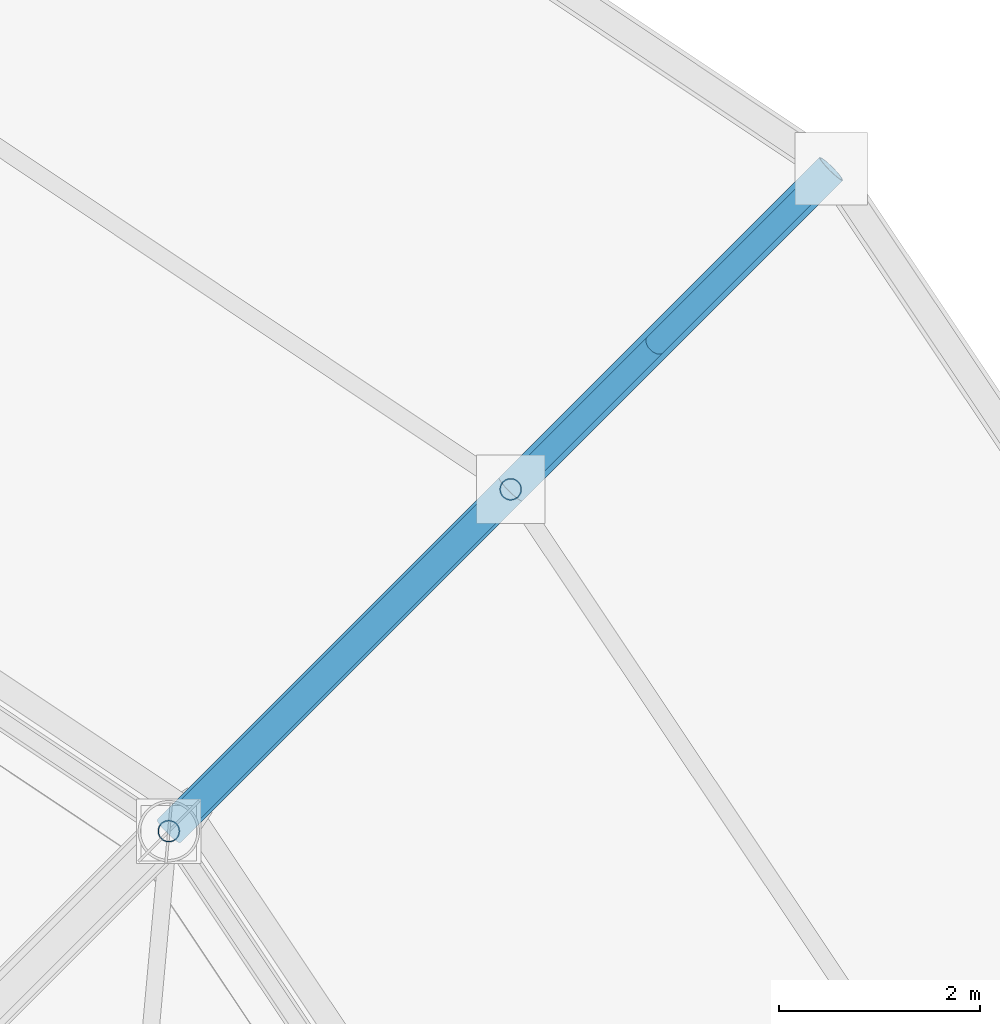
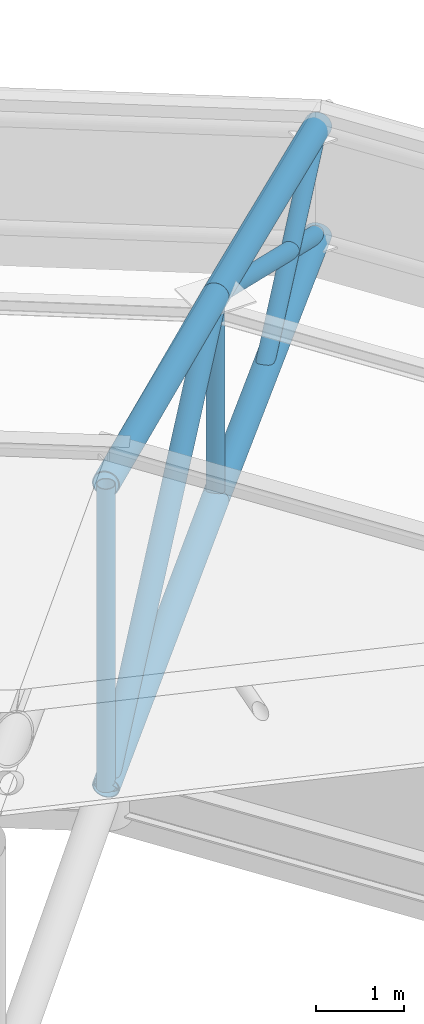
# One storey, part 85 of 146: 9 members.
"""IFC4 building model written with IfcOpenShell, lengths in metres."""

import ifcopenshell
import ifcopenshell.guid

model = None  # the IFC model being written
_history = None  # IfcOwnerHistory: only IFC2X3 demands one
_inside = {}  # id of a spatial element -> (the spatial element, [elements in it])
_under = {}  # id of a project, library or spatial element -> (it, [spatial elements below it])
_declared = {}  # id of a project -> (the project, [libraries it declares])
_typed = {}  # id of a type object -> (the type object, [elements of that type])
_made_of = {}  # id of a material, layer set ... -> (it, [elements and type objects made of it])


def new_model(schema):
    """Start an empty IFC model of exactly this schema.

    Asked for "IFC4X3", IfcOpenShell would pick the latest addendum, in which some entities
    have other attributes; the version numbers below select the first issue.
    IFC2X3 requires an IfcOwnerHistory on every rooted entity: one is made here for all.
    """
    global model, _history
    if schema == "IFC4X3":
        model = ifcopenshell.file(schema_version=(4, 3, 0, 0))
    else:
        model = ifcopenshell.file(schema=schema)
    _inside.clear()
    _under.clear()
    _declared.clear()
    _typed.clear()
    _made_of.clear()
    _history = None
    if model.schema == "IFC2X3":
        org = make("IfcOrganization", Name="unknown")
        user = make(
            "IfcPersonAndOrganization",
            ThePerson=make("IfcPerson", FamilyName="unknown"),
            TheOrganization=org,
        )
        app = make(
            "IfcApplication",
            ApplicationDeveloper=org,
            Version="unknown",
            ApplicationFullName="unknown",
            ApplicationIdentifier="unknown",
        )
        _history = make(
            "IfcOwnerHistory",
            OwningUser=user,
            OwningApplication=app,
            ChangeAction="ADDED",
            CreationDate=0,
        )
    return model


def make(cls, **values):
    """One entity of the class cls with the attributes given. An attribute that is None is left unset."""
    return model.create_entity(
        cls, **{name: value for name, value in values.items() if value is not None}
    )


def rooted(cls, **values):
    """An entity with a GlobalId (a new one), such as an element, a storey or a relation."""
    return make(cls, GlobalId=ifcopenshell.guid.new(), OwnerHistory=_history, **values)


def si_unit(unit_type, name, prefix=None):
    """IfcSIUnit, for example si_unit("LENGTHUNIT", "METRE", prefix="MILLI")."""
    return make("IfcSIUnit", UnitType=unit_type, Prefix=prefix, Name=name)


def assignment(units):
    """IfcUnitAssignment: the units of a project."""
    return None if units is None else make("IfcUnitAssignment", Units=units)


def point(xyz):
    """IfcCartesianPoint."""
    return None if xyz is None else make("IfcCartesianPoint", Coordinates=xyz)


def direction(xyz):
    """IfcDirection."""
    return None if xyz is None else make("IfcDirection", DirectionRatios=xyz)


def frame(location, z_axis=None, x_axis=None):
    """IfcAxis2Placement3D, a coordinate frame: its origin and axes. An axis left out is left unset."""
    return make(
        "IfcAxis2Placement3D",
        Location=point(location),
        Axis=direction(z_axis),
        RefDirection=direction(x_axis),
    )


def frame_2d(location, x_axis=None):
    """IfcAxis2Placement2D, a coordinate frame in the plane: its origin and x axis."""
    return make(
        "IfcAxis2Placement2D", Location=point(location), RefDirection=direction(x_axis)
    )


def origin():
    """The frame at (0, 0, 0) with its axes left unset."""
    return frame((0.0, 0.0, 0.0))


def origin_2d():
    """The frame at (0, 0) in the plane with its x axis left unset."""
    return frame_2d((0.0, 0.0))


def place(relative_to, where):
    """IfcLocalPlacement: puts the frame where relative to a parent placement (None: the world)."""
    return make(
        "IfcLocalPlacement", PlacementRelTo=relative_to, RelativePlacement=where
    )


def context(
    kind, dimensions, precision=None, world=None, true_north=None, identifier=None
):
    """IfcGeometricRepresentationContext, for example the 3D "Model" context."""
    return make(
        "IfcGeometricRepresentationContext",
        ContextIdentifier=identifier,
        ContextType=kind,
        CoordinateSpaceDimension=dimensions,
        Precision=precision,
        WorldCoordinateSystem=world,
        TrueNorth=true_north,
    )


def subcontext(parent, identifier, kind, view, scale=None):
    """IfcGeometricRepresentationSubContext, for example "Body" below "Model"."""
    return make(
        "IfcGeometricRepresentationSubContext",
        ContextIdentifier=identifier,
        ContextType=kind,
        ParentContext=parent,
        TargetScale=scale,
        TargetView=view,
    )


def project(units=None, contexts=None):
    """IfcProject with its units and contexts."""
    return rooted(
        "IfcProject",
        Name="project",
        RepresentationContexts=contexts,
        UnitsInContext=assignment(units),
    )


def spatial(cls, under=None, at=None, **own):
    """A site, building, storey or space (cls), placed at a placement, below another one or the project."""
    s = rooted(cls, ObjectPlacement=at, **own)
    if under is not None:
        _under.setdefault(under.id(), (under, []))[1].append(s)
    return s


def profile(cls, at=None, kind="AREA", **sizes):
    """A parametric profile (cls). Its sizes go by their IFC names, for example OverallWidth=200.0."""
    return make(cls, ProfileType=kind, Position=at, **sizes)


def hollow_circle(**sizes):
    """IfcCircleHollowProfileDef."""
    return profile("IfcCircleHollowProfileDef", **sizes)


def extrude(swept, where, along, depth):
    """IfcExtrudedAreaSolid: the profile swept, set in the frame where, extruded along a direction by depth."""
    return make(
        "IfcExtrudedAreaSolid",
        SweptArea=swept,
        Position=where,
        ExtrudedDirection=direction(along),
        Depth=depth,
    )


def shape(context_of_items, identifier, shape_type, items):
    """IfcShapeRepresentation: the items that make up one representation, for example the "Body"."""
    return make(
        "IfcShapeRepresentation",
        ContextOfItems=context_of_items,
        RepresentationIdentifier=identifier,
        RepresentationType=shape_type,
        Items=items,
    )


def material(Name=None, Category=None):
    """IfcMaterial."""
    return make("IfcMaterial", Name=Name, Category=Category)


def material_profile(
    of_material, cross_section, Name=None, Category=None, Priority=None
):
    """IfcMaterialProfile: a cross section and its material."""
    return make(
        "IfcMaterialProfile",
        Name=Name,
        Material=of_material,
        Profile=cross_section,
        Priority=Priority,
        Category=Category,
    )


def profile_set(profiles, Name=None, composite=None):
    """IfcMaterialProfileSet."""
    return make(
        "IfcMaterialProfileSet",
        Name=Name,
        MaterialProfiles=profiles,
        CompositeProfile=composite,
    )


def made_of(thing, what):
    """Note that an element or type object is made of a material, layer set ...; save() writes the relation."""
    if what is not None:
        _made_of.setdefault(what.id(), (what, []))[1].append(thing)
    return thing


def type_object(cls, material=None, **own):
    """A type object (cls), such as IfcWallType, which elements share."""
    return made_of(rooted(cls, **own), material)


def element(
    cls,
    number,
    at=None,
    inside=None,
    cuts=None,
    type_object=None,
    material=None,
    context=None,
    identifier="Body",
    shape_type=None,
    held_by="IfcProductDefinitionShape",
    body=None,
    shapes=None,
    **own,
):
    """One element of the class cls, such as IfcWall. Its Tag is "e" and its number.

    at: its placement. inside: the storey or other place that contains it. cuts: it is an
    opening in that element (IfcRelVoidsElement). A single representation is given by context,
    identifier, shape_type and body (its items); several are given by shapes. held_by: the class
    of the entity that holds the representations. save() writes the other relations.
    """
    e = rooted(cls, Tag="e%d" % number, ObjectPlacement=at, **own)
    if body is not None:
        shapes = [shape(context, identifier, shape_type, body)]
    if shapes is not None:
        e.Representation = make(held_by, Representations=shapes)
    if inside is not None:
        _inside.setdefault(inside.id(), (inside, []))[1].append(e)
    if cuts is not None:
        rooted(
            "IfcRelVoidsElement", RelatingBuildingElement=cuts, RelatedOpeningElement=e
        )
    if type_object is not None:
        _typed.setdefault(type_object.id(), (type_object, []))[1].append(e)
    return made_of(e, material)


def aggregate(whole, parts):
    """IfcRelAggregates: a whole, such as a stair, and the parts it consists of."""
    return rooted("IfcRelAggregates", RelatingObject=whole, RelatedObjects=parts)


def save(model, path):
    """Write the relations noted so far, then the file.

    IfcRelAggregates (storeys below a building ...), IfcRelContainedInSpatialStructure (elements
    in a storey), IfcRelDefinesByType, IfcRelAssociatesMaterial and IfcRelDeclares: one each for
    every whole, place, type object, material and project.
    """
    for whole, parts in _under.values():
        aggregate(whole, parts)
    for where, things in _inside.values():
        rooted(
            "IfcRelContainedInSpatialStructure",
            RelatedElements=things,
            RelatingStructure=where,
        )
    for kind, things in _typed.values():
        rooted("IfcRelDefinesByType", RelatedObjects=things, RelatingType=kind)
    for what, things in _made_of.values():
        rooted("IfcRelAssociatesMaterial", RelatedObjects=things, RelatingMaterial=what)
    for by, libraries in _declared.values():
        rooted("IfcRelDeclares", RelatingContext=by, RelatedDefinitions=libraries)
    model.write(path)


model = new_model("IFC4")

# Units and contexts
model_context = context("Model", 3, precision=1e-05, world=origin(), true_north=direction((0.0, 1.0)))
body_context = subcontext(model_context, "Body", "Model", "MODEL_VIEW")
ifc_project = project(units=[si_unit("LENGTHUNIT", "METRE"), si_unit("AREAUNIT", "SQUARE_METRE"), si_unit("VOLUMEUNIT", "CUBIC_METRE"), si_unit("PLANEANGLEUNIT", "RADIAN"), si_unit("MASSUNIT", "GRAM", prefix="KILO")], contexts=[model_context])

# Site, building, storey
site_placement = place(None, origin())
site = spatial("IfcSite", under=ifc_project, at=site_placement, CompositionType="ELEMENT")
building_placement = place(site_placement, origin())
building = spatial("IfcBuilding", under=site, at=building_placement, Name="Candeia Ridge Stadium", CompositionType="ELEMENT")
storey_placement = place(building_placement, frame((0.0, 0.0, 31.800048828125)))
storey = spatial("IfcBuildingStorey", under=building, at=storey_placement, Name="RF", CompositionType="ELEMENT", Elevation=31.800048828125)

# Members
ifc_material = material(Name="Steel ASTM A572 Grade 50", Category="steel")
ifc_material_profile_1 = material_profile(ifc_material, hollow_circle(Radius=0.161865234375, WallThickness=0.012451171875, at=origin_2d()), Name="CHS323x12", Category="steel")
ifc_profile_set_1 = profile_set([ifc_material_profile_1], Name="Steel ASTM A572 Grade 50")
member_type_1 = type_object("IfcMemberType", Name="Roof Truss Eaves Chord CHS323x12", PredefinedType="CHORD", material=ifc_profile_set_1)
member_1_placement = place(storey_placement, frame((177.76953125, 131.76953125, 4.599853515625), z_axis=(0.700873044687, 0.700873044687, -0.132491322215), x_axis=(-0.707106781187, 0.707106781187, 0.0)))
element("IfcMember", 1, at=member_1_placement, inside=storey, type_object=member_type_1, Name="Roof cantilever truss RT-35 top chord 7", PredefinedType="CHORD", context=body_context, shape_type="SweptSolid", body=[
    extrude(hollow_circle(Radius=0.161865234375, WallThickness=0.012451171875, at=origin_2d()), origin(), (0.0, 0.0, 1.0), 4.842529296875),
])
member_2_placement = place(storey_placement, frame((177.76953125, 131.76953125, 0.39990234375), z_axis=(0.698586254364, 0.698586254364, 0.154772382639), x_axis=(-0.707106781187, 0.707106781187, 0.0)))
element("IfcMember", 2, at=member_2_placement, inside=storey, type_object=member_type_1, Name="Roof cantilever truss RT-35 bottom chord 7", PredefinedType="CHORD", context=body_context, shape_type="SweptSolid", body=[
    extrude(hollow_circle(Radius=0.161865234375, WallThickness=0.012451171875, at=origin_2d()), origin(), (0.0, 0.0, 1.0), 4.8583984375),
])
member_3_placement = place(storey_placement, frame((181.16357421875, 135.16357421875, 3.958251953125), z_axis=(0.699233040755, 0.699233040755, -0.148816361443), x_axis=(-0.707106781187, 0.707106781187, 0.0)))
element("IfcMember", 3, at=member_3_placement, inside=storey, type_object=member_type_1, Name="Roof cantilever truss RT-35 top chord 8", PredefinedType="CHORD", context=body_context, shape_type="SweptSolid", body=[
    extrude(hollow_circle(Radius=0.161865234375, WallThickness=0.012451171875, at=origin_2d()), origin(), (0.0, 0.0, 1.0), 4.55078125),
])
member_4_placement = place(storey_placement, frame((181.16357421875, 135.16357421875, 1.15185546875), z_axis=(0.700296133436, 0.700296133436, 0.138458119983), x_axis=(-0.707106781187, 0.707106781187, 0.0)))
element("IfcMember", 4, at=member_4_placement, inside=storey, type_object=member_type_1, Name="Roof cantilever truss RT-35 bottom chord 8", PredefinedType="CHORD", context=body_context, shape_type="SweptSolid", body=[
    extrude(hollow_circle(Radius=0.161865234375, WallThickness=0.012451171875, at=origin_2d()), origin(), (0.0, 0.0, 1.0), 4.5439453125),
])
ifc_material_profile_2 = material_profile(ifc_material, hollow_circle(Radius=0.136474609375, WallThickness=0.010009765625, at=origin_2d()), Name="CHS273x10", Category="steel")
ifc_profile_set_2 = profile_set([ifc_material_profile_2], Name="Steel ASTM A572 Grade 50")
member_type_2 = type_object("IfcMemberType", Name="Roof Truss Heavy Web Brace CHS273x10", PredefinedType="BRACE", material=ifc_profile_set_2)
member_5_placement = place(storey_placement, frame((177.76953125, 131.76953125, 0.39990234375), z_axis=(0.56803841845, 0.56803841845, 0.595537329082), x_axis=(-0.707106781187, 0.707106781187, 0.0)))
element("IfcMember", 5, at=member_5_placement, inside=storey, type_object=member_type_2, Name="Roof cantilever truss RT-35 diagonal web 7", PredefinedType="BRACE", context=body_context, shape_type="SweptSolid", body=[
    extrude(hollow_circle(Radius=0.136474609375, WallThickness=0.010009765625, at=origin_2d()), origin(), (0.0, 0.0, 1.0), 5.97509765625),
])
ifc_material_profile_3 = material_profile(ifc_material, hollow_circle(Radius=0.109619140625, WallThickness=0.010009765625, at=origin_2d()), Name="CHS219x10", Category="steel")
ifc_profile_set_3 = profile_set([ifc_material_profile_3], Name="Steel ASTM A572 Grade 50")
member_type_3 = type_object("IfcMemberType", Name="Roof Truss Inner Web Brace CHS219x10", PredefinedType="BRACE", material=ifc_profile_set_3)
member_6_placement = place(storey_placement, frame((181.16357421875, 135.16357421875, 3.958251953125), z_axis=(0.636523949664, 0.636523949664, -0.435516386612), x_axis=(-0.707106781187, 0.707106781187, 0.0)))
element("IfcMember", 6, at=member_6_placement, inside=storey, type_object=member_type_3, Name="Roof cantilever truss RT-35 diagonal web 8", PredefinedType="BRACE", context=body_context, shape_type="SweptSolid", body=[
    extrude(hollow_circle(Radius=0.109619140625, WallThickness=0.010009765625, at=origin_2d()), origin(), (0.0, 0.0, 1.0), 4.999267578125),
])
member_7_placement = place(storey_placement, frame((177.76953125, 131.76953125, 0.39990234375), z_axis=(0.0, 0.0, 1.0), x_axis=(1.0, 0.0, 0.0)))
element("IfcMember", 7, at=member_7_placement, inside=storey, type_object=member_type_3, Name="Roof cantilever truss RT-35 vertical post 6", PredefinedType="BRACE", context=body_context, shape_type="SweptSolid", body=[
    extrude(hollow_circle(Radius=0.109619140625, WallThickness=0.010009765625, at=origin_2d()), origin(), (0.0, 0.0, 1.0), 4.199951171875),
])
member_8_placement = place(storey_placement, frame((181.16357421875, 135.16357421875, 1.15185546875), z_axis=(0.0, 0.0, 1.0), x_axis=(1.0, 0.0, 0.0)))
element("IfcMember", 8, at=member_8_placement, inside=storey, type_object=member_type_3, Name="Roof cantilever truss RT-35 vertical post 7", PredefinedType="BRACE", context=body_context, shape_type="SweptSolid", body=[
    extrude(hollow_circle(Radius=0.109619140625, WallThickness=0.010009765625, at=origin_2d()), origin(), (0.0, 0.0, 1.0), 2.806396484375),
])
member_9_placement = place(storey_placement, frame((182.595703125, 136.595703125, 1.43505859375), z_axis=(0.566805631246, 0.566805631246, 0.597881888651), x_axis=(-0.707106781187, 0.707106781187, 0.0)))
element("IfcMember", 9, at=member_9_placement, inside=storey, type_object=member_type_3, Name="Roof cantilever truss RT-35 vertical post 8", PredefinedType="BRACE", context=body_context, shape_type="SweptSolid", body=[
    extrude(hollow_circle(Radius=0.109619140625, WallThickness=0.010009765625, at=origin_2d()), origin(), (0.0, 0.0, 1.0), 3.08740234375),
])

save(model, "model.ifc")
